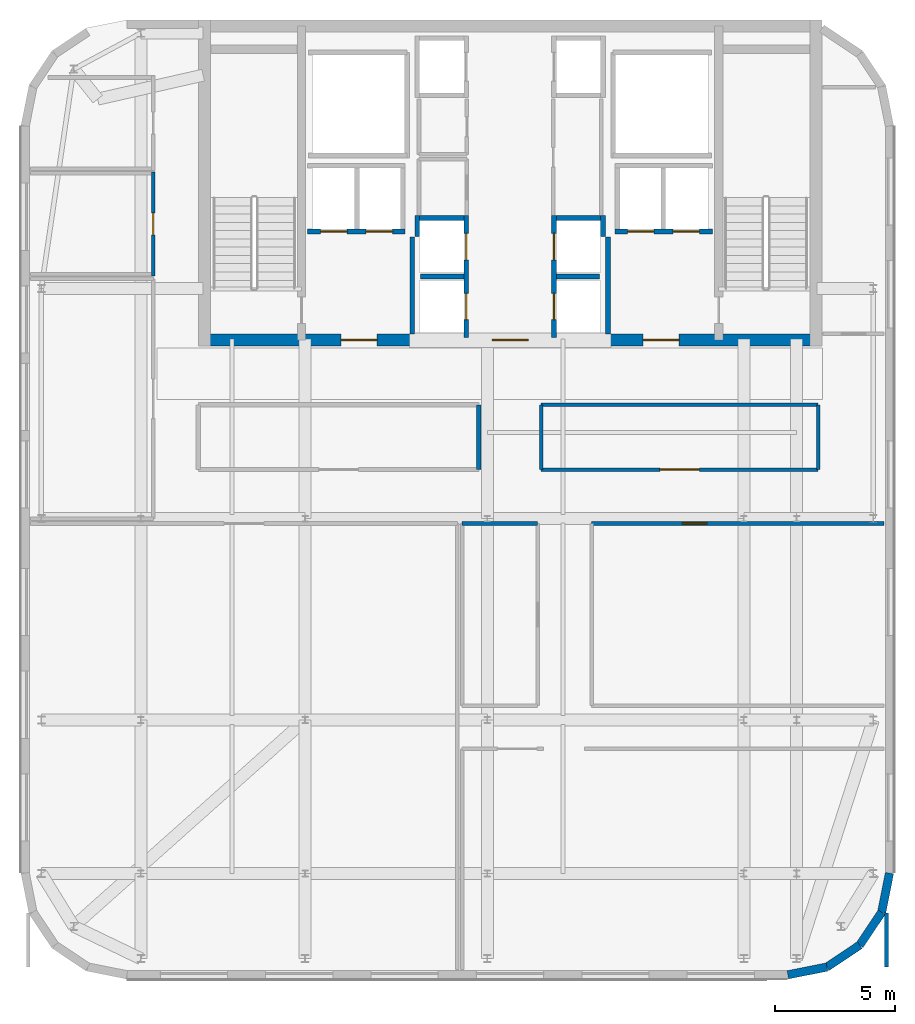
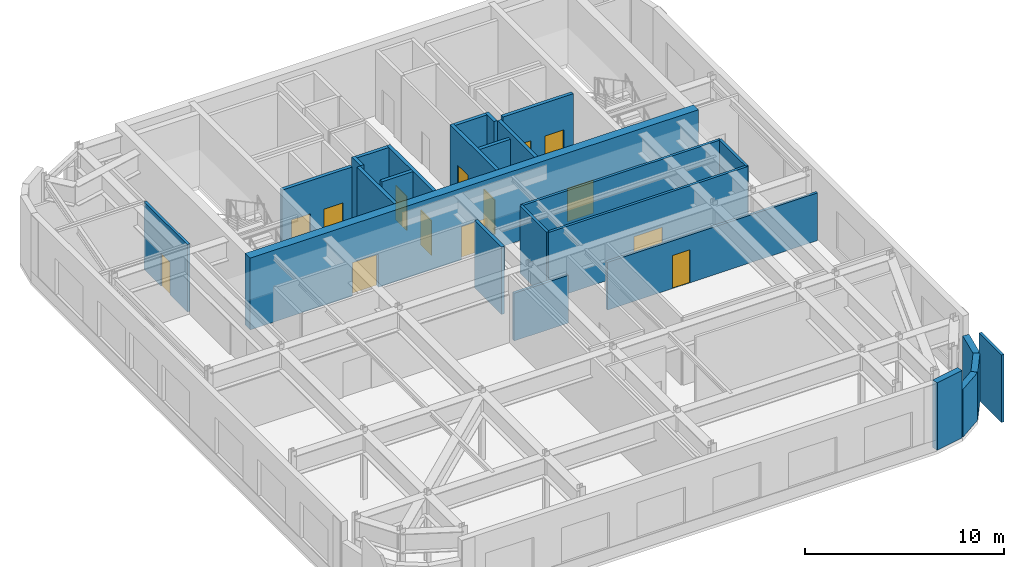
# One storey, part 7 of 13: 26 walls, 14 doors, 14 openings.
"""IFC4 building model written with IfcOpenShell, lengths in metres."""

from ifc_helpers import new_model, si_unit, direction, frame, frame_2d, origin, place, context, subcontext, project, spatial, rectangle, extrude, source, transform, mapped, material, layer, layer_set, type_object, type_shapes, element, fill, save


model = new_model("IFC4")

# Units and contexts
model_context = context("Model", 3, precision=1e-05, world=origin(), true_north=direction((0.0, 1.0)))
body_context = subcontext(model_context, "Body", "Model", "MODEL_VIEW")
ifc_project = project(units=[si_unit("LENGTHUNIT", "METRE"), si_unit("AREAUNIT", "SQUARE_METRE"), si_unit("VOLUMEUNIT", "CUBIC_METRE"), si_unit("PLANEANGLEUNIT", "RADIAN"), si_unit("MASSUNIT", "GRAM", prefix="KILO")], contexts=[model_context])

# Site, building, storey
site_placement = place(None, origin())
site = spatial("IfcSite", under=ifc_project, at=site_placement, CompositionType="ELEMENT")
building_placement = place(site_placement, origin())
building = spatial("IfcBuilding", under=site, at=building_placement, Name="Tolvann Quenvar Hotel", CompositionType="ELEMENT")
storey_placement = place(building_placement, frame((0.0, 0.0, 286.550048828125)))
storey = spatial("IfcBuildingStorey", under=building, at=storey_placement, Name="L76", CompositionType="ELEMENT", Elevation=286.550048828125)

# Wall, openings, doors
ifc_material_1 = material(Name="Concrete N50 (50 MPa)", Category="concrete")
ifc_layer_1 = layer(ifc_material_1, 0.5)
ifc_layer_set_1 = layer_set([ifc_layer_1], Name="Concrete N50 (50 MPa)")
wall_type_1 = type_object("IfcWallType", Name="WALL_CORE_500", PredefinedType="SHEAR", material=ifc_layer_set_1)
wall_1_placement = place(storey_placement, frame((10.0, 31.85009765625, 0.0), z_axis=(0.0, 0.0, 1.0), x_axis=(1.0, 0.0, 0.0)))
wall_1 = element("IfcWall", 1, at=wall_1_placement, inside=storey, type_object=wall_type_1, Name="Rear Core S Shear Wall (L76)", PredefinedType="SHEAR", context=body_context, shape_type="SweptSolid", body=[
    extrude(rectangle(XDim=26.0, YDim=0.5, at=frame_2d((13.0, 0.0))), origin(), (0.0, 0.0, 1.0), 4.39990234375),
])
opening_1_placement = place(wall_1_placement, frame((7.449951171875, 0.0, 0.0), z_axis=(0.0, 0.0, 1.0), x_axis=(-1.0, 0.0, 0.0)))
opening_1 = element("IfcOpeningElement", 2, at=opening_1_placement, cuts=wall_1, Name="Opening FD-60D", PredefinedType="OPENING", context=body_context, shape_type="SweptSolid", body=[
    extrude(rectangle(XDim=1.5, YDim=2.0400390625, at=frame_2d((0.75, 1.02001953125))), frame((0.0, 0.260009765625, 0.0), z_axis=(0.0, -1.0, 0.0), x_axis=(1.0, 0.0, 0.0)), (0.0, 0.0, 1.0), 0.52001953125),
])
opening_2_placement = place(wall_1_placement, frame((13.75, 0.0, 0.0), z_axis=(0.0, 0.0, 1.0), x_axis=(-1.0, 0.0, 0.0)))
opening_2 = element("IfcOpeningElement", 3, at=opening_2_placement, cuts=wall_1, Name="Opening FD-60D", PredefinedType="OPENING", context=body_context, shape_type="SweptSolid", body=[
    extrude(rectangle(XDim=1.5, YDim=2.0400390625, at=frame_2d((0.75, 1.02001953125))), frame((0.0, 0.260009765625, 0.0), z_axis=(0.0, -1.0, 0.0), x_axis=(1.0, 0.0, 0.0)), (0.0, 0.0, 1.0), 0.52001953125),
])
opening_3_placement = place(wall_1_placement, frame((20.050048828125, 0.0, 0.0), z_axis=(0.0, 0.0, 1.0), x_axis=(-1.0, 0.0, 0.0)))
opening_3 = element("IfcOpeningElement", 4, at=opening_3_placement, cuts=wall_1, Name="Opening FD-60D", PredefinedType="OPENING", context=body_context, shape_type="SweptSolid", body=[
    extrude(rectangle(XDim=1.5, YDim=2.0400390625, at=frame_2d((0.75, 1.02001953125))), frame((0.0, 0.260009765625, 0.0), z_axis=(0.0, -1.0, 0.0), x_axis=(1.0, 0.0, 0.0)), (0.0, 0.0, 1.0), 0.52001953125),
])
ifc_material_2 = material(Name="Solid-core American oak acoustic fire door leaf in steel frame", Category="steel")
door_type_1 = type_object("IfcDoorType", Name="DOOR_FIRE_LOBBY_1500", OperationType="NOTDEFINED", PredefinedType="DOOR", material=ifc_material_2)
shared_shape_1 = source(origin(), body_context, "Body", "SweptSolid", [
    extrude(rectangle(XDim=1.5, YDim=2.0400390625, at=frame_2d((0.75, 1.02001953125))), frame((0.0, 0.02490234375, 0.0), z_axis=(0.0, -1.0, 0.0), x_axis=(1.0, 0.0, 0.0)), (0.0, 0.0, 1.0), 0.050048828125),
])
type_shapes(door_type_1, [shared_shape_1])
door_1_placement = place(opening_1_placement, origin())
door_1 = element("IfcDoor", 5, at=door_1_placement, inside=storey, type_object=door_type_1, Name="Core Lobby Fire Door FFW (L76)", OperationType="DOUBLE_DOOR_SINGLE_SWING", OverallHeight=2.0400390625, OverallWidth=1.5, PredefinedType="DOOR", context=body_context, shape_type="MappedRepresentation", body=[
    mapped(shared_shape_1, transform((0.0, 0.0, 0.0), x_axis=(1.0, 0.0, 0.0), y_axis=(0.0, 1.0, 0.0), z_axis=(0.0, 0.0, 1.0), scale=1.0)),
])
fill(opening_1, door_1)
door_2_placement = place(opening_2_placement, origin())
door_2 = element("IfcDoor", 6, at=door_2_placement, inside=storey, type_object=door_type_1, Name="Core Lobby Fire Door CLOB (L76)", OperationType="DOUBLE_DOOR_SINGLE_SWING", OverallHeight=2.0400390625, OverallWidth=1.5, PredefinedType="DOOR", context=body_context, shape_type="MappedRepresentation", body=[
    mapped(shared_shape_1, transform((0.0, 0.0, 0.0), x_axis=(1.0, 0.0, 0.0), y_axis=(0.0, 1.0, 0.0), z_axis=(0.0, 0.0, 1.0), scale=1.0)),
])
fill(opening_2, door_2)
door_3_placement = place(opening_3_placement, origin())
door_3 = element("IfcDoor", 7, at=door_3_placement, inside=storey, type_object=door_type_1, Name="Core Lobby Fire Door FFE (L76)", OperationType="DOUBLE_DOOR_SINGLE_SWING", OverallHeight=2.0400390625, OverallWidth=1.5, PredefinedType="DOOR", context=body_context, shape_type="MappedRepresentation", body=[
    mapped(shared_shape_1, transform((0.0, 0.0, 0.0), x_axis=(1.0, 0.0, 0.0), y_axis=(0.0, 1.0, 0.0), z_axis=(0.0, 0.0, 1.0), scale=1.0)),
])
fill(opening_3, door_3)

# Walls
ifc_material_3 = material(Name="Kiln-fired red and buff architectural clay brickwork and terracotta masonry", Category="masonry")
ifc_layer_2 = layer(ifc_material_3, 0.35009765625)
ifc_layer_set_2 = layer_set([ifc_layer_2], Name="Kiln-fired red and buff architectural clay brickwork and terracotta masonry")
wall_type_2 = type_object("IfcWallType", Name="WALL_EXT_BRICK_350", PredefinedType="SOLIDWALL", material=ifc_layer_set_2)
wall_2_placement = place(storey_placement, frame((34.582763671875, 5.375, 0.0), z_axis=(0.0, 0.0, 1.0), x_axis=(0.980794424524, 0.195044345786, 0.0)))
element("IfcWall", 8, at=wall_2_placement, inside=storey, type_object=wall_type_2, Name="Exterior Chicago Brick Wall L76-E05", PredefinedType="SOLIDWALL", context=body_context, shape_type="SweptSolid", body=[
    extrude(rectangle(XDim=1.664794921875, YDim=0.35009765625, at=frame_2d((0.83251953125, 0.0))), origin(), (0.0, 0.0, 1.0), 4.139892578125),
])
for number, where, z_axis, x_axis, name in (
    (9, (36.215576171875, 5.69970703125, 0.0), (0.0, 0.0, 1.0), (0.831434158098, 0.555623290322, 0.0), "Exterior Chicago Brick Wall L76-E06"),
    (10, (37.585205078125, 6.614990234375, 0.0), (0.0, 0.0, 1.0), (0.555520825599, 0.831502623162, 0.0), "Exterior Chicago Brick Wall L76-E07"),
):
    element("IfcWall", number, at=place(storey_placement, frame(where, z_axis=z_axis, x_axis=x_axis)), inside=storey, type_object=wall_type_2, Name=name, PredefinedType="SOLIDWALL", context=body_context, shape_type="SweptSolid", body=[
        extrude(rectangle(XDim=1.647216796875, YDim=0.35009765625, at=frame_2d((0.82373046875, 0.0))), origin(), (0.0, 0.0, 1.0), 2.929931640625),
    ])
wall_3_placement = place(storey_placement, frame((38.500244140625, 7.984619140625, 0.0), z_axis=(0.0, 0.0, 1.0), x_axis=(0.195072403631, 0.980788844421, 0.0)))
element("IfcWall", 11, at=wall_3_placement, inside=storey, type_object=wall_type_2, Name="Exterior Chicago Brick Wall L76-E08", PredefinedType="SOLIDWALL", context=body_context, shape_type="SweptSolid", body=[
    extrude(rectangle(XDim=1.66455078125, YDim=0.35009765625, at=frame_2d((0.832275390625, 0.0))), origin(), (0.0, 0.0, 1.0), 2.929931640625),
])
ifc_material_4 = material(Name="Acoustic twin-stud fire-rated gypsum plasterboard partition")
ifc_layer_3 = layer(ifc_material_4, 0.179931640625)
ifc_layer_set_3 = layer_set([ifc_layer_3], Name="Acoustic twin-stud fire-rated gypsum plasterboard partition")
wall_type_3 = type_object("IfcWallType", Name="WALL_PART_ACOUSTIC_180", PredefinedType="PARTITIONING", material=ifc_layer_set_3)
wall_4_placement = place(storey_placement, frame((21.699951171875, 26.449951171875, 0.0), z_axis=(0.0, 0.0, 1.0), x_axis=(0.0, 1.0, 0.0)))
element("IfcWall", 12, at=wall_4_placement, inside=storey, type_object=wall_type_3, Name="Interior Partition PT-SPC-L76-SOMM-E", PredefinedType="PARTITIONING", context=body_context, shape_type="SweptSolid", body=[
    extrude(rectangle(XDim=2.699951171875, YDim=0.179931640625, at=frame_2d((1.35009765625, 0.0))), origin(), (0.0, 0.0, 1.0), 4.139892578125),
])

# Wall, opening, door
ifc_layer_4 = layer(ifc_material_4, 0.14990234375)
ifc_layer_set_4 = layer_set([ifc_layer_4], Name="Acoustic twin-stud fire-rated gypsum plasterboard partition")
wall_type_4 = type_object("IfcWallType", Name="WALL_PART_SUITE_150", PredefinedType="PARTITIONING", material=ifc_layer_set_4)
wall_5_placement = place(storey_placement, frame((24.300048828125, 26.449951171875, 0.0), z_axis=(0.0, 0.0, 1.0), x_axis=(1.0, 0.0, 0.0)))
wall_5 = element("IfcWall", 13, at=wall_5_placement, inside=storey, type_object=wall_type_4, Name="Interior Partition PT-SPC-L76-PRV2-S", PredefinedType="PARTITIONING", context=body_context, shape_type="SweptSolid", body=[
    extrude(rectangle(XDim=11.550048828125, YDim=0.14990234375, at=frame_2d((5.77490234375, 0.0))), origin(), (0.0, 0.0, 1.0), 4.139892578125),
])
opening_4_placement = place(wall_5_placement, frame((4.949951171875, 0.0, 0.0)))
opening_4 = element("IfcOpeningElement", 14, at=opening_4_placement, cuts=wall_5, Name="Opening AD-01", PredefinedType="OPENING", context=body_context, shape_type="SweptSolid", body=[
    extrude(rectangle(XDim=1.64990234375, YDim=2.14990234375, at=frame_2d((0.824951171875, 1.074951171875))), frame((0.0, 0.0849609375, 0.0), z_axis=(0.0, -1.0, 0.0), x_axis=(1.0, 0.0, 0.0)), (0.0, 0.0, 1.0), 0.169921875),
])
door_type_2 = type_object("IfcDoorType", Name="DOOR_SALON_1650", OperationType="NOTDEFINED", PredefinedType="DOOR", material=ifc_material_2)
shared_shape_2 = source(origin(), body_context, "Body", "SweptSolid", [
    extrude(rectangle(XDim=1.64990234375, YDim=2.14990234375, at=frame_2d((0.824951171875, 1.074951171875))), frame((0.0, 0.02490234375, 0.0), z_axis=(0.0, -1.0, 0.0), x_axis=(1.0, 0.0, 0.0)), (0.0, 0.0, 1.0), 0.050048828125),
])
type_shapes(door_type_2, [shared_shape_2])
door_4_placement = place(opening_4_placement, origin())
door_4 = element("IfcDoor", 15, at=door_4_placement, inside=storey, type_object=door_type_2, Name="Interior Door DOOR-SPC-L76-PRV2", OperationType="DOUBLE_DOOR_SINGLE_SWING", OverallHeight=2.14990234375, OverallWidth=1.64990234375, PredefinedType="DOOR", context=body_context, shape_type="MappedRepresentation", body=[
    mapped(shared_shape_2, transform((0.0, 0.0, 0.0), x_axis=(1.0, 0.0, 0.0), y_axis=(0.0, 1.0, 0.0), z_axis=(0.0, 0.0, 1.0), scale=1.0)),
])
fill(opening_4, door_4)

# Walls
wall_6_placement = place(storey_placement, frame((24.300048828125, 29.14990234375, 0.0), z_axis=(0.0, 0.0, 1.0), x_axis=(1.0, 0.0, 0.0)))
element("IfcWall", 16, at=wall_6_placement, inside=storey, type_object=wall_type_4, Name="Interior Partition PT-SPC-L76-PRV2-N", PredefinedType="PARTITIONING", context=body_context, shape_type="SweptSolid", body=[
    extrude(rectangle(XDim=11.550048828125, YDim=0.14990234375, at=frame_2d((5.77490234375, 0.0))), origin(), (0.0, 0.0, 1.0), 4.139892578125),
])
for number, where, z_axis, x_axis, name in (
    (17, (24.300048828125, 26.449951171875, 0.0), (0.0, 0.0, 1.0), (0.0, 1.0, 0.0), "Interior Partition PT-SPC-L76-PRV2-W"),
    (18, (35.85009765625, 26.449951171875, 0.0), (0.0, 0.0, 1.0), (0.0, 1.0, 0.0), "Interior Partition PT-SPC-L76-PRV2-E"),
):
    element("IfcWall", number, at=place(storey_placement, frame(where, z_axis=z_axis, x_axis=x_axis)), inside=storey, type_object=wall_type_4, Name=name, PredefinedType="PARTITIONING", context=body_context, shape_type="SweptSolid", body=[
        extrude(rectangle(XDim=2.699951171875, YDim=0.14990234375, at=frame_2d((1.35009765625, 0.0))), origin(), (0.0, 0.0, 1.0), 4.139892578125),
    ])
wall_7_placement = place(storey_placement, frame((38.699951171875, 5.699951171875, 0.0), z_axis=(0.0, 0.0, 1.0), x_axis=(0.0, 1.0, 0.0)))
element("IfcWall", 19, at=wall_7_placement, inside=storey, type_object=wall_type_4, Name="Interior Partition PT-SPC-L76-BAR-E", PredefinedType="PARTITIONING", context=body_context, shape_type="SweptSolid", body=[
    extrude(rectangle(XDim=2.2451171875, YDim=0.14990234375, at=frame_2d((1.12255859375, 0.0))), origin(), (0.0, 0.0, 1.0), 4.139892578125),
])

# Wall, opening, door
wall_8_placement = place(storey_placement, frame((26.39990234375, 24.199951171875, 0.0), z_axis=(0.0, 0.0, 1.0), x_axis=(1.0, 0.0, 0.0)))
wall_8 = element("IfcWall", 20, at=wall_8_placement, inside=storey, type_object=wall_type_4, Name="Interior Partition PT-SPC-L76-KIT-N", PredefinedType="PARTITIONING", context=body_context, shape_type="SweptSolid", body=[
    extrude(rectangle(XDim=12.195068359375, YDim=0.14990234375, at=frame_2d((6.09765625, 0.0))), origin(), (0.0, 0.0, 1.0), 2.929931640625),
])
opening_5_placement = place(wall_8_placement, frame((3.78759765625, 0.0, 0.0)))
opening_5 = element("IfcOpeningElement", 21, at=opening_5_placement, cuts=wall_8, Name="Opening HD-01", PredefinedType="OPENING", context=body_context, shape_type="SweptSolid", body=[
    extrude(rectangle(XDim=1.02001953125, YDim=2.030029296875, at=frame_2d((0.510009765625, 1.01513671875))), frame((0.0, 0.0849609375, 0.0), z_axis=(0.0, -1.0, 0.0), x_axis=(1.0, 0.0, 0.0)), (0.0, 0.0, 1.0), 0.169921875),
])
ifc_material_5 = material(Name="Pressed galvanised steel fire-rated door set", Category="steel")
door_type_3 = type_object("IfcDoorType", Name="DOOR_BOH_1020", OperationType="NOTDEFINED", PredefinedType="DOOR", material=ifc_material_5)
shared_shape_3 = source(origin(), body_context, "Body", "SweptSolid", [
    extrude(rectangle(XDim=1.02001953125, YDim=2.030029296875, at=frame_2d((0.510009765625, 1.01513671875))), frame((0.0, 0.02490234375, 0.0), z_axis=(0.0, -1.0, 0.0), x_axis=(1.0, 0.0, 0.0)), (0.0, 0.0, 1.0), 0.050048828125),
])
type_shapes(door_type_3, [shared_shape_3])
door_5_placement = place(opening_5_placement, origin())
door_5 = element("IfcDoor", 22, at=door_5_placement, inside=storey, type_object=door_type_3, Name="Interior Door DOOR-SPC-L76-KIT", OperationType="SINGLE_SWING_LEFT", OverallHeight=2.030029296875, OverallWidth=1.02001953125, PredefinedType="DOOR", context=body_context, shape_type="MappedRepresentation", body=[
    mapped(shared_shape_3, transform((0.0, 0.0, 0.0), x_axis=(1.0, 0.0, 0.0), y_axis=(0.0, 1.0, 0.0), z_axis=(0.0, 0.0, 1.0), scale=1.0)),
])
fill(opening_5, door_5)

# Wall
wall_9_placement = place(storey_placement, frame((21.0, 24.199951171875, 0.0), z_axis=(0.0, 0.0, 1.0), x_axis=(1.0, 0.0, 0.0)))
element("IfcWall", 23, at=wall_9_placement, inside=storey, type_object=wall_type_4, Name="Interior Partition PT-SPC-L76-VLT-N", PredefinedType="PARTITIONING", context=body_context, shape_type="SweptSolid", body=[
    extrude(rectangle(XDim=3.14990234375, YDim=0.14990234375, at=frame_2d((1.574951171875, 0.0))), origin(), (0.0, 0.0, 1.0), 2.929931640625),
])

# Wall, opening, door
wall_10_placement = place(storey_placement, frame((8.1201171875, 34.530029296875, 0.0), z_axis=(0.0, 0.0, 1.0), x_axis=(0.0, 1.0, 0.0)))
wall_10 = element("IfcWall", 24, at=wall_10_placement, inside=storey, type_object=wall_type_4, Name="Interior Partition PT-SPC-L76-WC1-E", PredefinedType="PARTITIONING", context=body_context, shape_type="SweptSolid", body=[
    extrude(rectangle(XDim=4.340087890625, YDim=0.14990234375, at=frame_2d((2.169921875, 0.0))), origin(), (0.0, 0.0, 1.0), 4.139892578125),
])
opening_6_placement = place(wall_10_placement, frame((1.7099609375, 0.0, 0.0)))
opening_6 = element("IfcOpeningElement", 25, at=opening_6_placement, cuts=wall_10, Name="Opening WD-01", PredefinedType="OPENING", context=body_context, shape_type="SweptSolid", body=[
    extrude(rectangle(XDim=0.919921875, YDim=2.010009765625, at=frame_2d((0.4599609375, 1.0048828125))), frame((0.0, 0.0849609375, 0.0), z_axis=(0.0, -1.0, 0.0), x_axis=(1.0, 0.0, 0.0)), (0.0, 0.0, 1.0), 0.169921875),
])
door_type_4 = type_object("IfcDoorType", Name="DOOR_WC_920", OperationType="NOTDEFINED", PredefinedType="DOOR", material=ifc_material_2)
shared_shape_4 = source(origin(), body_context, "Body", "SweptSolid", [
    extrude(rectangle(XDim=0.919921875, YDim=2.010009765625, at=frame_2d((0.4599609375, 1.0048828125))), frame((0.0, 0.02490234375, 0.0), z_axis=(0.0, -1.0, 0.0), x_axis=(1.0, 0.0, 0.0)), (0.0, 0.0, 1.0), 0.050048828125),
])
type_shapes(door_type_4, [shared_shape_4])
door_6_placement = place(opening_6_placement, origin())
door_6 = element("IfcDoor", 26, at=door_6_placement, inside=storey, type_object=door_type_4, Name="Interior Door DOOR-SPC-L76-WC1", OperationType="SINGLE_SWING_RIGHT", OverallHeight=2.010009765625, OverallWidth=0.919921875, PredefinedType="DOOR", context=body_context, shape_type="MappedRepresentation", body=[
    mapped(shared_shape_4, transform((0.0, 0.0, 0.0), x_axis=(1.0, 0.0, 0.0), y_axis=(0.0, 1.0, 0.0), z_axis=(0.0, 0.0, 1.0), scale=1.0)),
])
fill(opening_6, door_6)

# Walls
ifc_material_6 = material(Name="Concrete N40 (40 MPa)", Category="concrete")
ifc_layer_5 = layer(ifc_material_6, 0.199951171875)
ifc_layer_set_5 = layer_set([ifc_layer_5], Name="Concrete N40 (40 MPa)")
wall_type_5 = type_object("IfcWallType", Name="WALL_SHAFT_200", PredefinedType="SOLIDWALL", material=ifc_layer_set_5)
for number, where, z_axis, x_axis, name in (
    (27, (18.919921875, 32.10400390625, 0.0), (0.0, 0.0, 1.0), (0.0, 1.0, 0.0), "Firefighting Lobby W Inner Fire Wall (L76)"),
    (28, (27.080078125, 32.10400390625, 0.0), (0.0, 0.0, 1.0), (0.0, 1.0, 0.0), "Firefighting Lobby E Inner Fire Wall (L76)"),
):
    element("IfcWall", number, at=place(storey_placement, frame(where, z_axis=z_axis, x_axis=x_axis)), inside=storey, type_object=wall_type_5, Name=name, PredefinedType="SOLIDWALL", context=body_context, shape_type="SweptSolid", body=[
        extrude(rectangle(XDim=4.0458984375, YDim=0.199951171875, at=frame_2d((2.02294921875, 0.0))), origin(), (0.0, 0.0, 1.0), 4.139892578125),
    ])

# Wall, openings, doors
wall_11_placement = place(storey_placement, frame((21.169921875, 31.9599609375, 0.0), z_axis=(0.0, 0.0, 1.0), x_axis=(0.0, 1.0, 0.0)))
wall_11 = element("IfcWall", 29, at=wall_11_placement, inside=storey, type_object=wall_type_5, Name="Lift Bank E21.1C1 Hoistway Front Wall (L76)", PredefinedType="SOLIDWALL", context=body_context, shape_type="SweptSolid", body=[
    extrude(rectangle(XDim=5.080078125, YDim=0.199951171875, at=frame_2d((2.5400390625, 0.0))), origin(), (0.0, 0.0, 1.0), 4.139892578125),
])
opening_7_placement = place(wall_11_placement, frame((0.739990234375, 0.0, 0.0)))
opening_7 = element("IfcOpeningElement", 30, at=opening_7_placement, cuts=wall_11, Name="Opening LD-01", PredefinedType="OPENING", context=body_context, shape_type="SweptSolid", body=[
    extrude(rectangle(XDim=1.10009765625, YDim=2.1201171875, at=frame_2d((0.550048828125, 1.06005859375))), frame((0.0, 0.10986328125, 0.0), z_axis=(0.0, -1.0, 0.0), x_axis=(1.0, 0.0, 0.0)), (0.0, 0.0, 1.0), 0.219970703125),
])
opening_8_placement = place(wall_11_placement, frame((3.239990234375, 0.0, 0.0)))
opening_8 = element("IfcOpeningElement", 31, at=opening_8_placement, cuts=wall_11, Name="Opening LD-01", PredefinedType="OPENING", context=body_context, shape_type="SweptSolid", body=[
    extrude(rectangle(XDim=1.10009765625, YDim=2.1201171875, at=frame_2d((0.550048828125, 1.06005859375))), frame((0.0, 0.10986328125, 0.0), z_axis=(0.0, -1.0, 0.0), x_axis=(1.0, 0.0, 0.0)), (0.0, 0.0, 1.0), 0.219970703125),
])
ifc_material_7 = material(Name="Brushed 316 stainless steel automatic sliding lift landing door", Category="steel")
door_type_5 = type_object("IfcDoorType", Name="DOOR_LIFT_SLIDE_1100", OperationType="NOTDEFINED", PredefinedType="DOOR", material=ifc_material_7)
shared_shape_5 = source(origin(), body_context, "Body", "SweptSolid", [
    extrude(rectangle(XDim=1.10009765625, YDim=2.1201171875, at=frame_2d((0.550048828125, 1.06005859375))), frame((0.0, 0.02490234375, 0.0), z_axis=(0.0, -1.0, 0.0), x_axis=(1.0, 0.0, 0.0)), (0.0, 0.0, 1.0), 0.050048828125),
])
type_shapes(door_type_5, [shared_shape_5])
door_7_placement = place(opening_7_placement, origin())
door_7 = element("IfcDoor", 32, at=door_7_placement, inside=storey, type_object=door_type_5, Name="Lift PH-1 Sliding Landing Door (L76)", OperationType="SLIDING_TO_LEFT", OverallHeight=2.1201171875, OverallWidth=1.10009765625, PredefinedType="DOOR", context=body_context, shape_type="MappedRepresentation", body=[
    mapped(shared_shape_5, transform((0.0, 0.0, 0.0), x_axis=(1.0, 0.0, 0.0), y_axis=(0.0, 1.0, 0.0), z_axis=(0.0, 0.0, 1.0), scale=1.0)),
])
fill(opening_7, door_7)
door_8_placement = place(opening_8_placement, origin())
door_8 = element("IfcDoor", 33, at=door_8_placement, inside=storey, type_object=door_type_5, Name="Lift PH-2 Sliding Landing Door (L76)", OperationType="SLIDING_TO_RIGHT", OverallHeight=2.1201171875, OverallWidth=1.10009765625, PredefinedType="DOOR", context=body_context, shape_type="MappedRepresentation", body=[
    mapped(shared_shape_5, transform((0.0, 0.0, 0.0), x_axis=(1.0, 0.0, 0.0), y_axis=(0.0, 1.0, 0.0), z_axis=(0.0, 0.0, 1.0), scale=1.0)),
])
fill(opening_8, door_8)

# Walls
wall_12_placement = place(storey_placement, frame((19.1298828125, 36.159912109375, 0.0), z_axis=(0.0, 0.0, 1.0), x_axis=(0.0, 1.0, 0.0)))
element("IfcWall", 34, at=wall_12_placement, inside=storey, type_object=wall_type_5, Name="Lift Bank E21.1C1 Hoistway Rear Wall (L76)", PredefinedType="SOLIDWALL", context=body_context, shape_type="SweptSolid", body=[
    extrude(rectangle(XDim=0.880126953125, YDim=0.199951171875, at=frame_2d((0.43994140625, 0.0))), origin(), (0.0, 0.0, 1.0), 4.139892578125),
])
wall_13_placement = place(storey_placement, frame((19.22998046875, 36.93994140625, 0.0), z_axis=(0.0, 0.0, 1.0), x_axis=(1.0, 0.0, 0.0)))
element("IfcWall", 35, at=wall_13_placement, inside=storey, type_object=wall_type_5, Name="Lift Bank E21.1C1 Hoistway Cheek Wall 2 (L76)", PredefinedType="SOLIDWALL", context=body_context, shape_type="SweptSolid", body=[
    extrude(rectangle(XDim=1.840087890625, YDim=0.199951171875, at=frame_2d((0.919921875, 0.0))), origin(), (0.0, 0.0, 1.0), 4.139892578125),
])
wall_14_placement = place(storey_placement, frame((19.27001953125, 34.5, 0.0), z_axis=(0.0, 0.0, 1.0), x_axis=(1.0, 0.0, 0.0)))
element("IfcWall", 36, at=wall_14_placement, inside=storey, type_object=wall_type_5, Name="Lift Bank E21.1C1 Divider Wall 1 (L76)", PredefinedType="SOLIDWALL", context=body_context, shape_type="SweptSolid", body=[
    extrude(rectangle(XDim=1.800048828125, YDim=0.199951171875, at=frame_2d((0.89990234375, 0.0))), origin(), (0.0, 0.0, 1.0), 4.139892578125),
])

# Wall, openings, doors
wall_15_placement = place(storey_placement, frame((27.375, 36.3798828125, 0.0), z_axis=(0.0, 0.0, 1.0), x_axis=(1.0, 0.0, 0.0)))
wall_15 = element("IfcWall", 37, at=wall_15_placement, inside=storey, type_object=wall_type_5, Name="Lift Bank SEC1 Hoistway Front Wall (L76)", PredefinedType="SOLIDWALL", context=body_context, shape_type="SweptSolid", body=[
    extrude(rectangle(XDim=4.074951171875, YDim=0.199951171875, at=frame_2d((2.03759765625, 0.0))), origin(), (0.0, 0.0, 1.0), 4.139892578125),
])
opening_9_placement = place(wall_15_placement, frame((0.52490234375, 0.0, 0.0)))
opening_9 = element("IfcOpeningElement", 38, at=opening_9_placement, cuts=wall_15, Name="Opening LD-01", PredefinedType="OPENING", context=body_context, shape_type="SweptSolid", body=[
    extrude(rectangle(XDim=1.10009765625, YDim=2.1201171875, at=frame_2d((0.550048828125, 1.06005859375))), frame((0.0, 0.10986328125, 0.0), z_axis=(0.0, -1.0, 0.0), x_axis=(1.0, 0.0, 0.0)), (0.0, 0.0, 1.0), 0.219970703125),
])
opening_10_placement = place(wall_15_placement, frame((2.425048828125, 0.0, 0.0)))
opening_10 = element("IfcOpeningElement", 39, at=opening_10_placement, cuts=wall_15, Name="Opening LD-01", PredefinedType="OPENING", context=body_context, shape_type="SweptSolid", body=[
    extrude(rectangle(XDim=1.10009765625, YDim=2.1201171875, at=frame_2d((0.550048828125, 1.06005859375))), frame((0.0, 0.10986328125, 0.0), z_axis=(0.0, -1.0, 0.0), x_axis=(1.0, 0.0, 0.0)), (0.0, 0.0, 1.0), 0.219970703125),
])
door_9_placement = place(opening_9_placement, origin())
door_9 = element("IfcDoor", 40, at=door_9_placement, inside=storey, type_object=door_type_5, Name="Lift SV-2 Sliding Landing Door (L76)", OperationType="SLIDING_TO_LEFT", OverallHeight=2.1201171875, OverallWidth=1.10009765625, PredefinedType="DOOR", context=body_context, shape_type="MappedRepresentation", body=[
    mapped(shared_shape_5, transform((0.0, 0.0, 0.0), x_axis=(1.0, 0.0, 0.0), y_axis=(0.0, 1.0, 0.0), z_axis=(0.0, 0.0, 1.0), scale=1.0)),
])
fill(opening_9, door_9)
door_10_placement = place(opening_10_placement, origin())
door_10 = element("IfcDoor", 41, at=door_10_placement, inside=storey, type_object=door_type_5, Name="Lift FF-2 Sliding Landing Door (L76)", OperationType="SLIDING_TO_RIGHT", OverallHeight=2.1201171875, OverallWidth=1.10009765625, PredefinedType="DOOR", context=body_context, shape_type="MappedRepresentation", body=[
    mapped(shared_shape_5, transform((0.0, 0.0, 0.0), x_axis=(1.0, 0.0, 0.0), y_axis=(0.0, 1.0, 0.0), z_axis=(0.0, 0.0, 1.0), scale=1.0)),
])
fill(opening_10, door_10)

wall_16_placement = place(storey_placement, frame((14.550048828125, 36.3798828125, 0.0), z_axis=(0.0, 0.0, 1.0), x_axis=(1.0, 0.0, 0.0)))
wall_16 = element("IfcWall", 42, at=wall_16_placement, inside=storey, type_object=wall_type_5, Name="Lift Bank SWC1 Hoistway Front Wall (L76)", PredefinedType="SOLIDWALL", context=body_context, shape_type="SweptSolid", body=[
    extrude(rectangle(XDim=4.074951171875, YDim=0.199951171875, at=frame_2d((2.03759765625, 0.0))), origin(), (0.0, 0.0, 1.0), 4.139892578125),
])
opening_11_placement = place(wall_16_placement, frame((0.550048828125, 0.0, 0.0)))
opening_11 = element("IfcOpeningElement", 43, at=opening_11_placement, cuts=wall_16, Name="Opening LD-01", PredefinedType="OPENING", context=body_context, shape_type="SweptSolid", body=[
    extrude(rectangle(XDim=1.10009765625, YDim=2.1201171875, at=frame_2d((0.550048828125, 1.06005859375))), frame((0.0, 0.10986328125, 0.0), z_axis=(0.0, -1.0, 0.0), x_axis=(1.0, 0.0, 0.0)), (0.0, 0.0, 1.0), 0.219970703125),
])
opening_12_placement = place(wall_16_placement, frame((2.449951171875, 0.0, 0.0)))
opening_12 = element("IfcOpeningElement", 44, at=opening_12_placement, cuts=wall_16, Name="Opening LD-01", PredefinedType="OPENING", context=body_context, shape_type="SweptSolid", body=[
    extrude(rectangle(XDim=1.10009765625, YDim=2.1201171875, at=frame_2d((0.550048828125, 1.06005859375))), frame((0.0, 0.10986328125, 0.0), z_axis=(0.0, -1.0, 0.0), x_axis=(1.0, 0.0, 0.0)), (0.0, 0.0, 1.0), 0.219970703125),
])
door_11_placement = place(opening_11_placement, origin())
door_11 = element("IfcDoor", 45, at=door_11_placement, inside=storey, type_object=door_type_5, Name="Lift FF-1 Sliding Landing Door (L76)", OperationType="SLIDING_TO_LEFT", OverallHeight=2.1201171875, OverallWidth=1.10009765625, PredefinedType="DOOR", context=body_context, shape_type="MappedRepresentation", body=[
    mapped(shared_shape_5, transform((0.0, 0.0, 0.0), x_axis=(1.0, 0.0, 0.0), y_axis=(0.0, 1.0, 0.0), z_axis=(0.0, 0.0, 1.0), scale=1.0)),
])
fill(opening_11, door_11)
door_12_placement = place(opening_12_placement, origin())
door_12 = element("IfcDoor", 46, at=door_12_placement, inside=storey, type_object=door_type_5, Name="Lift SV-1 Sliding Landing Door (L76)", OperationType="SLIDING_TO_RIGHT", OverallHeight=2.1201171875, OverallWidth=1.10009765625, PredefinedType="DOOR", context=body_context, shape_type="MappedRepresentation", body=[
    mapped(shared_shape_5, transform((0.0, 0.0, 0.0), x_axis=(1.0, 0.0, 0.0), y_axis=(0.0, 1.0, 0.0), z_axis=(0.0, 0.0, 1.0), scale=1.0)),
])
fill(opening_12, door_12)

wall_17_placement = place(storey_placement, frame((24.830078125, 31.9599609375, 0.0), z_axis=(0.0, 0.0, 1.0), x_axis=(0.0, 1.0, 0.0)))
wall_17 = element("IfcWall", 47, at=wall_17_placement, inside=storey, type_object=wall_type_5, Name="Lift Bank W24.9C1 Hoistway Front Wall (L76)", PredefinedType="SOLIDWALL", context=body_context, shape_type="SweptSolid", body=[
    extrude(rectangle(XDim=5.080078125, YDim=0.199951171875, at=frame_2d((2.5400390625, 0.0))), origin(), (0.0, 0.0, 1.0), 4.139892578125),
])
opening_13_placement = place(wall_17_placement, frame((0.739990234375, 0.0, 0.0)))
opening_13 = element("IfcOpeningElement", 48, at=opening_13_placement, cuts=wall_17, Name="Opening LD-01", PredefinedType="OPENING", context=body_context, shape_type="SweptSolid", body=[
    extrude(rectangle(XDim=1.10009765625, YDim=2.1201171875, at=frame_2d((0.550048828125, 1.06005859375))), frame((0.0, 0.10986328125, 0.0), z_axis=(0.0, -1.0, 0.0), x_axis=(1.0, 0.0, 0.0)), (0.0, 0.0, 1.0), 0.219970703125),
])
opening_14_placement = place(wall_17_placement, frame((3.239990234375, 0.0, 0.0)))
opening_14 = element("IfcOpeningElement", 49, at=opening_14_placement, cuts=wall_17, Name="Opening LD-01", PredefinedType="OPENING", context=body_context, shape_type="SweptSolid", body=[
    extrude(rectangle(XDim=1.10009765625, YDim=2.1201171875, at=frame_2d((0.550048828125, 1.06005859375))), frame((0.0, 0.10986328125, 0.0), z_axis=(0.0, -1.0, 0.0), x_axis=(1.0, 0.0, 0.0)), (0.0, 0.0, 1.0), 0.219970703125),
])
door_13_placement = place(opening_13_placement, origin())
door_13 = element("IfcDoor", 50, at=door_13_placement, inside=storey, type_object=door_type_5, Name="Lift PH-3 Sliding Landing Door (L76)", OperationType="SLIDING_TO_LEFT", OverallHeight=2.1201171875, OverallWidth=1.10009765625, PredefinedType="DOOR", context=body_context, shape_type="MappedRepresentation", body=[
    mapped(shared_shape_5, transform((0.0, 0.0, 0.0), x_axis=(1.0, 0.0, 0.0), y_axis=(0.0, 1.0, 0.0), z_axis=(0.0, 0.0, 1.0), scale=1.0)),
])
fill(opening_13, door_13)
door_14_placement = place(opening_14_placement, origin())
door_14 = element("IfcDoor", 51, at=door_14_placement, inside=storey, type_object=door_type_5, Name="Lift PH-4 Sliding Landing Door (L76)", OperationType="SLIDING_TO_RIGHT", OverallHeight=2.1201171875, OverallWidth=1.10009765625, PredefinedType="DOOR", context=body_context, shape_type="MappedRepresentation", body=[
    mapped(shared_shape_5, transform((0.0, 0.0, 0.0), x_axis=(1.0, 0.0, 0.0), y_axis=(0.0, 1.0, 0.0), z_axis=(0.0, 0.0, 1.0), scale=1.0)),
])
fill(opening_14, door_14)

# Walls
wall_18_placement = place(storey_placement, frame((26.8701171875, 36.159912109375, 0.0), z_axis=(0.0, 0.0, 1.0), x_axis=(0.0, 1.0, 0.0)))
element("IfcWall", 52, at=wall_18_placement, inside=storey, type_object=wall_type_5, Name="Lift Bank W24.9C1 Hoistway Rear Wall (L76)", PredefinedType="SOLIDWALL", context=body_context, shape_type="SweptSolid", body=[
    extrude(rectangle(XDim=0.880126953125, YDim=0.199951171875, at=frame_2d((0.43994140625, 0.0))), origin(), (0.0, 0.0, 1.0), 4.139892578125),
])
wall_19_placement = place(storey_placement, frame((24.929931640625, 36.93994140625, 0.0), z_axis=(0.0, 0.0, 1.0), x_axis=(1.0, 0.0, 0.0)))
element("IfcWall", 53, at=wall_19_placement, inside=storey, type_object=wall_type_5, Name="Lift Bank W24.9C1 Hoistway Cheek Wall 2 (L76)", PredefinedType="SOLIDWALL", context=body_context, shape_type="SweptSolid", body=[
    extrude(rectangle(XDim=1.840087890625, YDim=0.199951171875, at=frame_2d((0.919921875, 0.0))), origin(), (0.0, 0.0, 1.0), 4.139892578125),
])
wall_20_placement = place(storey_placement, frame((24.929931640625, 34.5, 0.0), z_axis=(0.0, 0.0, 1.0), x_axis=(1.0, 0.0, 0.0)))
element("IfcWall", 54, at=wall_20_placement, inside=storey, type_object=wall_type_5, Name="Lift Bank W24.9C1 Divider Wall 1 (L76)", PredefinedType="SOLIDWALL", context=body_context, shape_type="SweptSolid", body=[
    extrude(rectangle(XDim=1.800048828125, YDim=0.199951171875, at=frame_2d((0.89990234375, 0.0))), origin(), (0.0, 0.0, 1.0), 4.139892578125),
])

save(model, "model.ifc")
